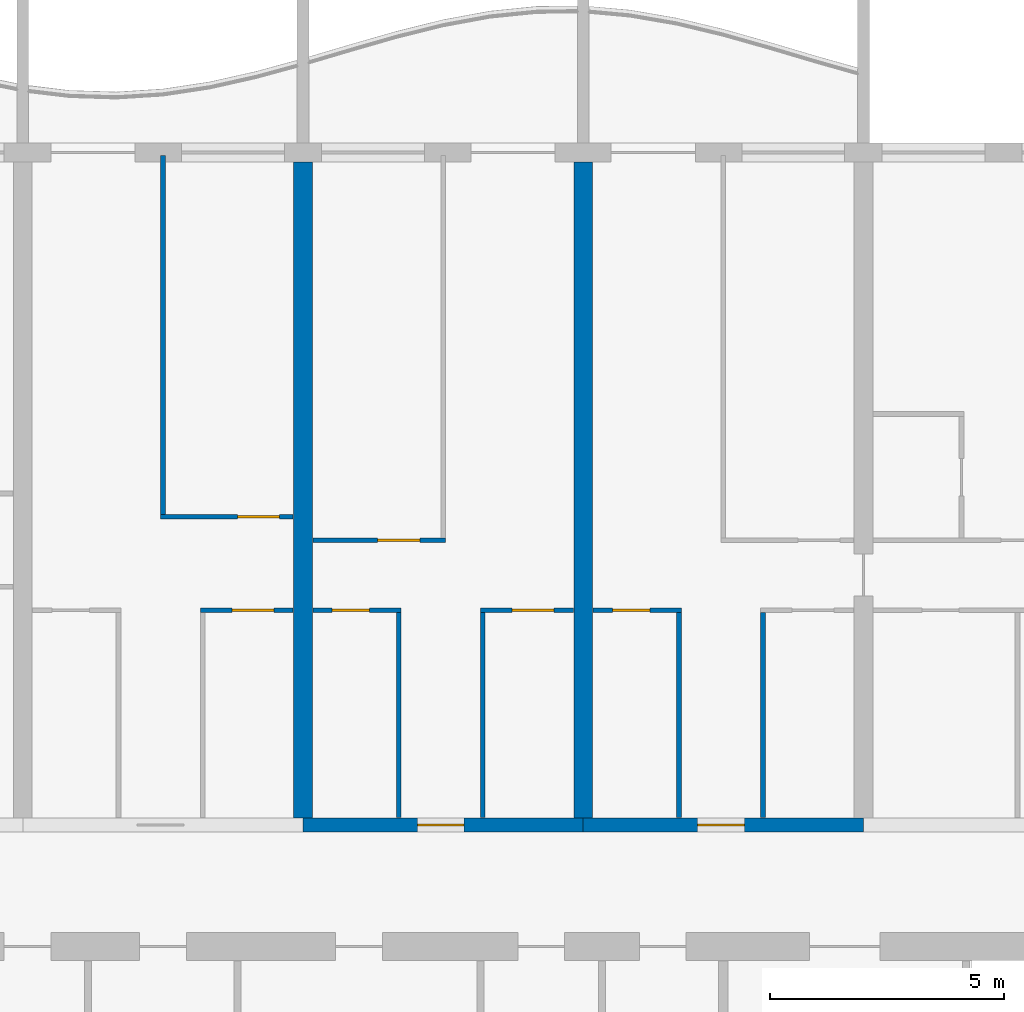
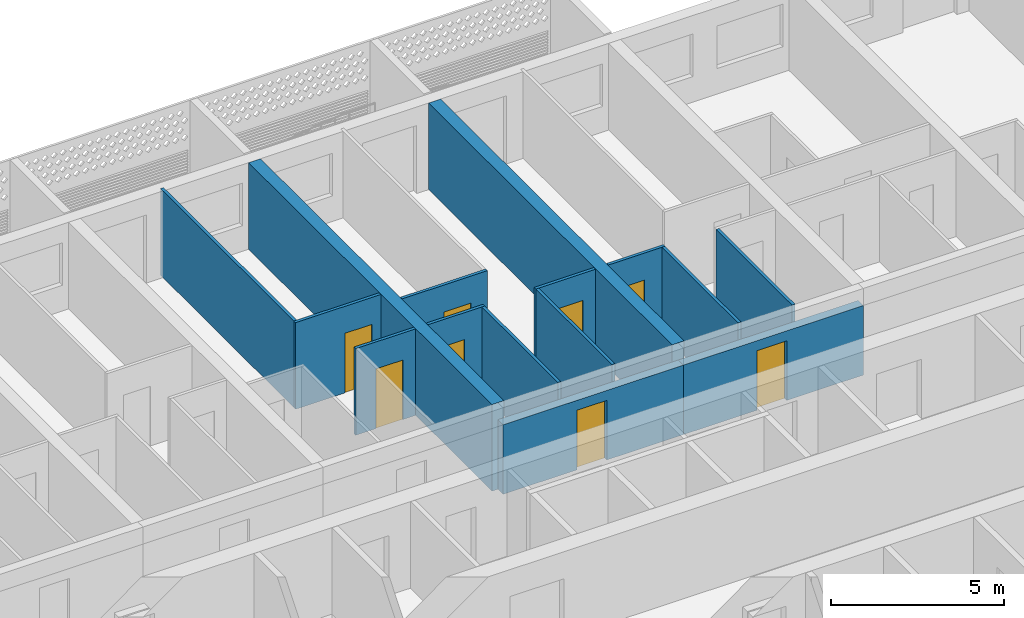
# One storey, part 14 of 44: 15 walls, 8 doors, 8 openings.
"""IFC4 building model written with IfcOpenShell, lengths in metres."""

import ifcopenshell
import ifcopenshell.guid

model = None  # the IFC model being written
_history = None  # IfcOwnerHistory: only IFC2X3 demands one
_inside = {}  # id of a spatial element -> (the spatial element, [elements in it])
_under = {}  # id of a project, library or spatial element -> (it, [spatial elements below it])
_declared = {}  # id of a project -> (the project, [libraries it declares])
_typed = {}  # id of a type object -> (the type object, [elements of that type])
_made_of = {}  # id of a material, layer set ... -> (it, [elements and type objects made of it])


def new_model(schema):
    """Start an empty IFC model of exactly this schema.

    Asked for "IFC4X3", IfcOpenShell would pick the latest addendum, in which some entities
    have other attributes; the version numbers below select the first issue.
    IFC2X3 requires an IfcOwnerHistory on every rooted entity: one is made here for all.
    """
    global model, _history
    if schema == "IFC4X3":
        model = ifcopenshell.file(schema_version=(4, 3, 0, 0))
    else:
        model = ifcopenshell.file(schema=schema)
    _inside.clear()
    _under.clear()
    _declared.clear()
    _typed.clear()
    _made_of.clear()
    _history = None
    if model.schema == "IFC2X3":
        org = make("IfcOrganization", Name="unknown")
        user = make(
            "IfcPersonAndOrganization",
            ThePerson=make("IfcPerson", FamilyName="unknown"),
            TheOrganization=org,
        )
        app = make(
            "IfcApplication",
            ApplicationDeveloper=org,
            Version="unknown",
            ApplicationFullName="unknown",
            ApplicationIdentifier="unknown",
        )
        _history = make(
            "IfcOwnerHistory",
            OwningUser=user,
            OwningApplication=app,
            ChangeAction="ADDED",
            CreationDate=0,
        )
    return model


def make(cls, **values):
    """One entity of the class cls with the attributes given. An attribute that is None is left unset."""
    return model.create_entity(
        cls, **{name: value for name, value in values.items() if value is not None}
    )


def rooted(cls, **values):
    """An entity with a GlobalId (a new one), such as an element, a storey or a relation."""
    return make(cls, GlobalId=ifcopenshell.guid.new(), OwnerHistory=_history, **values)


def si_unit(unit_type, name, prefix=None):
    """IfcSIUnit, for example si_unit("LENGTHUNIT", "METRE", prefix="MILLI")."""
    return make("IfcSIUnit", UnitType=unit_type, Prefix=prefix, Name=name)


def assignment(units):
    """IfcUnitAssignment: the units of a project."""
    return None if units is None else make("IfcUnitAssignment", Units=units)


def point(xyz):
    """IfcCartesianPoint."""
    return None if xyz is None else make("IfcCartesianPoint", Coordinates=xyz)


def direction(xyz):
    """IfcDirection."""
    return None if xyz is None else make("IfcDirection", DirectionRatios=xyz)


def frame(location, z_axis=None, x_axis=None):
    """IfcAxis2Placement3D, a coordinate frame: its origin and axes. An axis left out is left unset."""
    return make(
        "IfcAxis2Placement3D",
        Location=point(location),
        Axis=direction(z_axis),
        RefDirection=direction(x_axis),
    )


def frame_2d(location, x_axis=None):
    """IfcAxis2Placement2D, a coordinate frame in the plane: its origin and x axis."""
    return make(
        "IfcAxis2Placement2D", Location=point(location), RefDirection=direction(x_axis)
    )


def origin():
    """The frame at (0, 0, 0) with its axes left unset."""
    return frame((0.0, 0.0, 0.0))


def place(relative_to, where):
    """IfcLocalPlacement: puts the frame where relative to a parent placement (None: the world)."""
    return make(
        "IfcLocalPlacement", PlacementRelTo=relative_to, RelativePlacement=where
    )


def context(
    kind, dimensions, precision=None, world=None, true_north=None, identifier=None
):
    """IfcGeometricRepresentationContext, for example the 3D "Model" context."""
    return make(
        "IfcGeometricRepresentationContext",
        ContextIdentifier=identifier,
        ContextType=kind,
        CoordinateSpaceDimension=dimensions,
        Precision=precision,
        WorldCoordinateSystem=world,
        TrueNorth=true_north,
    )


def subcontext(parent, identifier, kind, view, scale=None):
    """IfcGeometricRepresentationSubContext, for example "Body" below "Model"."""
    return make(
        "IfcGeometricRepresentationSubContext",
        ContextIdentifier=identifier,
        ContextType=kind,
        ParentContext=parent,
        TargetScale=scale,
        TargetView=view,
    )


def project(units=None, contexts=None):
    """IfcProject with its units and contexts."""
    return rooted(
        "IfcProject",
        Name="project",
        RepresentationContexts=contexts,
        UnitsInContext=assignment(units),
    )


def spatial(cls, under=None, at=None, **own):
    """A site, building, storey or space (cls), placed at a placement, below another one or the project."""
    s = rooted(cls, ObjectPlacement=at, **own)
    if under is not None:
        _under.setdefault(under.id(), (under, []))[1].append(s)
    return s


def profile(cls, at=None, kind="AREA", **sizes):
    """A parametric profile (cls). Its sizes go by their IFC names, for example OverallWidth=200.0."""
    return make(cls, ProfileType=kind, Position=at, **sizes)


def rectangle(**sizes):
    """IfcRectangleProfileDef."""
    return profile("IfcRectangleProfileDef", **sizes)


def extrude(swept, where, along, depth):
    """IfcExtrudedAreaSolid: the profile swept, set in the frame where, extruded along a direction by depth."""
    return make(
        "IfcExtrudedAreaSolid",
        SweptArea=swept,
        Position=where,
        ExtrudedDirection=direction(along),
        Depth=depth,
    )


def shape(context_of_items, identifier, shape_type, items):
    """IfcShapeRepresentation: the items that make up one representation, for example the "Body"."""
    return make(
        "IfcShapeRepresentation",
        ContextOfItems=context_of_items,
        RepresentationIdentifier=identifier,
        RepresentationType=shape_type,
        Items=items,
    )


def material(Name=None, Category=None):
    """IfcMaterial."""
    return make("IfcMaterial", Name=Name, Category=Category)


def layer(
    of_material, thickness, ventilated=None, Name=None, Category=None, Priority=None
):
    """IfcMaterialLayer: one layer of a wall or slab, of a material (None: an air gap)."""
    return make(
        "IfcMaterialLayer",
        Material=of_material,
        LayerThickness=thickness,
        IsVentilated=ventilated,
        Name=Name,
        Category=Category,
        Priority=Priority,
    )


def layer_set(layers, Name=None):
    """IfcMaterialLayerSet."""
    return make("IfcMaterialLayerSet", MaterialLayers=layers, LayerSetName=Name)


def made_of(thing, what):
    """Note that an element or type object is made of a material, layer set ...; save() writes the relation."""
    if what is not None:
        _made_of.setdefault(what.id(), (what, []))[1].append(thing)
    return thing


def type_object(cls, material=None, **own):
    """A type object (cls), such as IfcWallType, which elements share."""
    return made_of(rooted(cls, **own), material)


def element(
    cls,
    number,
    at=None,
    inside=None,
    cuts=None,
    type_object=None,
    material=None,
    context=None,
    identifier="Body",
    shape_type=None,
    held_by="IfcProductDefinitionShape",
    body=None,
    shapes=None,
    **own,
):
    """One element of the class cls, such as IfcWall. Its Tag is "e" and its number.

    at: its placement. inside: the storey or other place that contains it. cuts: it is an
    opening in that element (IfcRelVoidsElement). A single representation is given by context,
    identifier, shape_type and body (its items); several are given by shapes. held_by: the class
    of the entity that holds the representations. save() writes the other relations.
    """
    e = rooted(cls, Tag="e%d" % number, ObjectPlacement=at, **own)
    if body is not None:
        shapes = [shape(context, identifier, shape_type, body)]
    if shapes is not None:
        e.Representation = make(held_by, Representations=shapes)
    if inside is not None:
        _inside.setdefault(inside.id(), (inside, []))[1].append(e)
    if cuts is not None:
        rooted(
            "IfcRelVoidsElement", RelatingBuildingElement=cuts, RelatedOpeningElement=e
        )
    if type_object is not None:
        _typed.setdefault(type_object.id(), (type_object, []))[1].append(e)
    return made_of(e, material)


def fill(opening, filler):
    """IfcRelFillsElement: the door or window that sits in an opening."""
    return rooted(
        "IfcRelFillsElement",
        RelatingOpeningElement=opening,
        RelatedBuildingElement=filler,
    )


def aggregate(whole, parts):
    """IfcRelAggregates: a whole, such as a stair, and the parts it consists of."""
    return rooted("IfcRelAggregates", RelatingObject=whole, RelatedObjects=parts)


def save(model, path):
    """Write the relations noted so far, then the file.

    IfcRelAggregates (storeys below a building ...), IfcRelContainedInSpatialStructure (elements
    in a storey), IfcRelDefinesByType, IfcRelAssociatesMaterial and IfcRelDeclares: one each for
    every whole, place, type object, material and project.
    """
    for whole, parts in _under.values():
        aggregate(whole, parts)
    for where, things in _inside.values():
        rooted(
            "IfcRelContainedInSpatialStructure",
            RelatedElements=things,
            RelatingStructure=where,
        )
    for kind, things in _typed.values():
        rooted("IfcRelDefinesByType", RelatedObjects=things, RelatingType=kind)
    for what, things in _made_of.values():
        rooted("IfcRelAssociatesMaterial", RelatedObjects=things, RelatingMaterial=what)
    for by, libraries in _declared.values():
        rooted("IfcRelDeclares", RelatingContext=by, RelatedDefinitions=libraries)
    model.write(path)


model = new_model("IFC4")

# Units and contexts
model_context = context("Model", 3, precision=1e-05, world=origin(), true_north=direction((0.0, 1.0)))
body_context = subcontext(model_context, "Body", "Model", "MODEL_VIEW")
ifc_project = project(units=[si_unit("LENGTHUNIT", "METRE"), si_unit("AREAUNIT", "SQUARE_METRE"), si_unit("VOLUMEUNIT", "CUBIC_METRE"), si_unit("PLANEANGLEUNIT", "RADIAN"), si_unit("MASSUNIT", "GRAM", prefix="KILO")], contexts=[model_context])

# Site, building, storey
site_placement = place(None, origin())
site = spatial("IfcSite", under=ifc_project, at=site_placement, CompositionType="ELEMENT")
building_placement = place(site_placement, origin())
building = spatial("IfcBuilding", under=site, at=building_placement, Name="Poui Terraces", CompositionType="ELEMENT")
storey_placement = place(building_placement, frame((0.0, 0.0, 26.699951171875)))
storey = spatial("IfcBuildingStorey", under=building, at=storey_placement, Name="L06", CompositionType="ELEMENT", Elevation=26.699951171875)

# Wall, opening, door
ifc_material_1 = material(Name="Concrete 80 MPa", Category="concrete")
ifc_layer_1 = layer(ifc_material_1, 0.300048828125)
ifc_layer_set_1 = layer_set([ifc_layer_1], Name="Concrete 80 MPa")
wall_type_1 = type_object("IfcWallType", Name="CORRIDOR WALL 300 80MPa", PredefinedType="SHEAR", material=ifc_layer_set_1)
wall_1_placement = place(storey_placement, frame((54.0, 30.39990234375, 0.0), z_axis=(0.0, 0.0, 1.0), x_axis=(1.0, 0.0, 0.0)))
wall_1 = element("IfcWall", 1, at=wall_1_placement, inside=storey, type_object=wall_type_1, Name="CORRIDOR WALL LINE E BAY 10", PredefinedType="SHEAR", context=body_context, shape_type="SweptSolid", body=[
    extrude(rectangle(XDim=6.0, YDim=0.300048828125, at=frame_2d((3.0, 0.0))), origin(), (0.0, 0.0, 1.0), 2.449951171875),
])
opening_1_placement = place(wall_1_placement, frame((2.449951171875, 0.0, 0.0)))
opening_1 = element("IfcOpeningElement", 2, at=opening_1_placement, cuts=wall_1, Name="Opening FD30S", PredefinedType="OPENING", context=body_context, shape_type="SweptSolid", body=[
    extrude(rectangle(XDim=1.0, YDim=2.10009765625, at=frame_2d((0.5, 1.050048828125))), frame((0.0, 0.16015625, 0.0), z_axis=(0.0, -1.0, 0.0), x_axis=(1.0, 0.0, 0.0)), (0.0, 0.0, 1.0), 0.320068359375),
])
ifc_material_2 = material(Name="Steel fire door", Category="steel")
door_type_1 = type_object("IfcDoorType", Name="FLAT ENTRANCE DOOR 1000 X 2100", OperationType="NOTDEFINED", PredefinedType="DOOR", material=ifc_material_2)
door_1_placement = place(opening_1_placement, origin())
door_1 = element("IfcDoor", 3, at=door_1_placement, inside=storey, type_object=door_type_1, Name="FLAT ENTRANCE DOOR 065", OperationType="SINGLE_SWING_LEFT", OverallHeight=2.10009765625, OverallWidth=1.0, PredefinedType="DOOR", context=body_context, shape_type="SweptSolid", body=[
    extrude(rectangle(XDim=1.0, YDim=2.10009765625, at=frame_2d((0.5, 1.050048828125))), frame((0.0, 0.02490234375, 0.0), z_axis=(0.0, -1.0, 0.0), x_axis=(1.0, 0.0, 0.0)), (0.0, 0.0, 1.0), 0.050048828125),
])
fill(opening_1, door_1)

wall_2_placement = place(storey_placement, frame((60.0, 30.39990234375, 0.0), z_axis=(0.0, 0.0, 1.0), x_axis=(1.0, 0.0, 0.0)))
wall_2 = element("IfcWall", 4, at=wall_2_placement, inside=storey, type_object=wall_type_1, Name="CORRIDOR WALL LINE E BAY 11", PredefinedType="SHEAR", context=body_context, shape_type="SweptSolid", body=[
    extrude(rectangle(XDim=6.0, YDim=0.300048828125, at=frame_2d((3.0, 0.0))), origin(), (0.0, 0.0, 1.0), 2.449951171875),
])
opening_2_placement = place(wall_2_placement, frame((2.449951171875, 0.0, 0.0)))
opening_2 = element("IfcOpeningElement", 5, at=opening_2_placement, cuts=wall_2, Name="Opening FD30S", PredefinedType="OPENING", context=body_context, shape_type="SweptSolid", body=[
    extrude(rectangle(XDim=1.0, YDim=2.10009765625, at=frame_2d((0.5, 1.050048828125))), frame((0.0, 0.16015625, 0.0), z_axis=(0.0, -1.0, 0.0), x_axis=(1.0, 0.0, 0.0)), (0.0, 0.0, 1.0), 0.320068359375),
])
door_2_placement = place(opening_2_placement, origin())
door_2 = element("IfcDoor", 6, at=door_2_placement, inside=storey, type_object=door_type_1, Name="FLAT ENTRANCE DOOR 071", OperationType="SINGLE_SWING_LEFT", OverallHeight=2.10009765625, OverallWidth=1.0, PredefinedType="DOOR", context=body_context, shape_type="SweptSolid", body=[
    extrude(rectangle(XDim=1.0, YDim=2.10009765625, at=frame_2d((0.5, 1.050048828125))), frame((0.0, 0.02490234375, 0.0), z_axis=(0.0, -1.0, 0.0), x_axis=(1.0, 0.0, 0.0)), (0.0, 0.0, 1.0), 0.050048828125),
])
fill(opening_2, door_2)

# Walls
ifc_layer_2 = layer(ifc_material_1, 0.39990234375)
ifc_layer_set_2 = layer_set([ifc_layer_2], Name="Concrete 80 MPa")
wall_type_2 = type_object("IfcWallType", Name="CROSS WALL 400 80MPa", PredefinedType="SHEAR", material=ifc_layer_set_2)
for number, where, z_axis, x_axis, name in (
    (7, (54.0, 30.550048828125, 0.0), (0.0, 0.0, 1.0), (0.0, 1.0, 0.0), "CROSS WALL LINE 10 NORTH"),
    (8, (60.0, 30.550048828125, 0.0), (0.0, 0.0, 1.0), (0.0, 1.0, 0.0), "CROSS WALL LINE 11 NORTH"),
):
    element("IfcWall", number, at=place(storey_placement, frame(where, z_axis=z_axis, x_axis=x_axis)), inside=storey, type_object=wall_type_2, Name=name, PredefinedType="SHEAR", context=body_context, shape_type="SweptSolid", body=[
        extrude(rectangle(XDim=14.050048828125, YDim=0.39990234375, at=frame_2d((7.02490234375, 0.0))), origin(), (0.0, 0.0, 1.0), 3.050048828125),
    ])

# Wall, opening, door
ifc_material_3 = material(Name="Plasterboard partition")
ifc_layer_3 = layer(ifc_material_3, 0.10009765625)
ifc_layer_set_3 = layer_set([ifc_layer_3], Name="Plasterboard partition")
wall_type_3 = type_object("IfcWallType", Name="FLAT PARTITION 100", PredefinedType="PARTITIONING", material=ifc_layer_set_3)
wall_3_placement = place(storey_placement, frame((51.800048828125, 35.0, 0.0), z_axis=(0.0, 0.0, 1.0), x_axis=(1.0, 0.0, 0.0)))
wall_3 = element("IfcWall", 9, at=wall_3_placement, inside=storey, type_object=wall_type_3, Name="FLAT PARTITION 100", PredefinedType="PARTITIONING", context=body_context, shape_type="SweptSolid", body=[
    extrude(rectangle(XDim=1.989990234375, YDim=0.10009765625, at=frame_2d((0.9951171875, 0.0))), origin(), (0.0, 0.0, 1.0), 3.050048828125),
])
opening_3_placement = place(wall_3_placement, frame((0.675048828125, 0.0, 0.0)))
opening_3 = element("IfcOpeningElement", 10, at=opening_3_placement, cuts=wall_3, Name="Opening D90", PredefinedType="OPENING", context=body_context, shape_type="SweptSolid", body=[
    extrude(rectangle(XDim=0.89990234375, YDim=2.10009765625, at=frame_2d((0.449951171875, 1.050048828125))), frame((0.0, 0.06005859375, 0.0), z_axis=(0.0, -1.0, 0.0), x_axis=(1.0, 0.0, 0.0)), (0.0, 0.0, 1.0), 0.1201171875),
])
ifc_material_4 = material(Name="Solid core timber door", Category="wood")
door_type_2 = type_object("IfcDoorType", Name="INTERNAL DOOR 900 X 2100", OperationType="NOTDEFINED", PredefinedType="DOOR", material=ifc_material_4)
door_3_placement = place(opening_3_placement, frame((0.89990234375, 0.0, 0.0), z_axis=(0.0, 0.0, 1.0), x_axis=(-1.0, 0.0, 0.0)))
door_3 = element("IfcDoor", 11, at=door_3_placement, inside=storey, type_object=door_type_2, Name="INTERNAL DOOR 061", OperationType="SINGLE_SWING_LEFT", OverallHeight=2.10009765625, OverallWidth=0.89990234375, PredefinedType="DOOR", context=body_context, shape_type="SweptSolid", body=[
    extrude(rectangle(XDim=0.89990234375, YDim=2.10009765625, at=frame_2d((0.449951171875, 1.050048828125))), frame((0.0, 0.02490234375, 0.0), z_axis=(0.0, -1.0, 0.0), x_axis=(1.0, 0.0, 0.0)), (0.0, 0.0, 1.0), 0.050048828125),
])
fill(opening_3, door_3)

wall_4_placement = place(storey_placement, frame((54.2099609375, 35.0, 0.0), z_axis=(0.0, 0.0, 1.0), x_axis=(1.0, 0.0, 0.0)))
wall_4 = element("IfcWall", 12, at=wall_4_placement, inside=storey, type_object=wall_type_3, Name="FLAT PARTITION 100", PredefinedType="PARTITIONING", context=body_context, shape_type="SweptSolid", body=[
    extrude(rectangle(XDim=1.89013671875, YDim=0.10009765625, at=frame_2d((0.945068359375, 0.0))), origin(), (0.0, 0.0, 1.0), 3.050048828125),
])
opening_4_placement = place(wall_4_placement, frame((0.4150390625, 0.0, 0.0)))
opening_4 = element("IfcOpeningElement", 13, at=opening_4_placement, cuts=wall_4, Name="Opening D80", PredefinedType="OPENING", context=body_context, shape_type="SweptSolid", body=[
    extrude(rectangle(XDim=0.800048828125, YDim=2.10009765625, at=frame_2d((0.39990234375, 1.050048828125))), frame((0.0, 0.06005859375, 0.0), z_axis=(0.0, -1.0, 0.0), x_axis=(1.0, 0.0, 0.0)), (0.0, 0.0, 1.0), 0.1201171875),
])
door_type_3 = type_object("IfcDoorType", Name="BATHROOM, LAUNDRY AND STORE DOOR 800 X 2100", OperationType="NOTDEFINED", PredefinedType="DOOR", material=ifc_material_4)
door_4_placement = place(opening_4_placement, frame((0.800048828125, 0.0, 0.0), z_axis=(0.0, 0.0, 1.0), x_axis=(-1.0, 0.0, 0.0)))
door_4 = element("IfcDoor", 14, at=door_4_placement, inside=storey, type_object=door_type_3, Name="BATHROOM, LAUNDRY AND STORE DOOR 063", OperationType="SINGLE_SWING_LEFT", OverallHeight=2.10009765625, OverallWidth=0.800048828125, PredefinedType="DOOR", context=body_context, shape_type="SweptSolid", body=[
    extrude(rectangle(XDim=0.800048828125, YDim=2.10009765625, at=frame_2d((0.39990234375, 1.050048828125))), frame((0.0, 0.02490234375, 0.0), z_axis=(0.0, -1.0, 0.0), x_axis=(1.0, 0.0, 0.0)), (0.0, 0.0, 1.0), 0.050048828125),
])
fill(opening_4, door_4)

wall_5_placement = place(storey_placement, frame((57.800048828125, 35.0, 0.0), z_axis=(0.0, 0.0, 1.0), x_axis=(1.0, 0.0, 0.0)))
wall_5 = element("IfcWall", 15, at=wall_5_placement, inside=storey, type_object=wall_type_3, Name="FLAT PARTITION 100", PredefinedType="PARTITIONING", context=body_context, shape_type="SweptSolid", body=[
    extrude(rectangle(XDim=1.989990234375, YDim=0.10009765625, at=frame_2d((0.9951171875, 0.0))), origin(), (0.0, 0.0, 1.0), 3.050048828125),
])
opening_5_placement = place(wall_5_placement, frame((0.675048828125, 0.0, 0.0)))
opening_5 = element("IfcOpeningElement", 16, at=opening_5_placement, cuts=wall_5, Name="Opening D90", PredefinedType="OPENING", context=body_context, shape_type="SweptSolid", body=[
    extrude(rectangle(XDim=0.89990234375, YDim=2.10009765625, at=frame_2d((0.449951171875, 1.050048828125))), frame((0.0, 0.06005859375, 0.0), z_axis=(0.0, -1.0, 0.0), x_axis=(1.0, 0.0, 0.0)), (0.0, 0.0, 1.0), 0.1201171875),
])
door_5_placement = place(opening_5_placement, frame((0.89990234375, 0.0, 0.0), z_axis=(0.0, 0.0, 1.0), x_axis=(-1.0, 0.0, 0.0)))
door_5 = element("IfcDoor", 17, at=door_5_placement, inside=storey, type_object=door_type_2, Name="INTERNAL DOOR 066", OperationType="SINGLE_SWING_RIGHT", OverallHeight=2.10009765625, OverallWidth=0.89990234375, PredefinedType="DOOR", context=body_context, shape_type="SweptSolid", body=[
    extrude(rectangle(XDim=0.89990234375, YDim=2.10009765625, at=frame_2d((0.449951171875, 1.050048828125))), frame((0.0, 0.02490234375, 0.0), z_axis=(0.0, -1.0, 0.0), x_axis=(1.0, 0.0, 0.0)), (0.0, 0.0, 1.0), 0.050048828125),
])
fill(opening_5, door_5)

wall_6_placement = place(storey_placement, frame((60.2099609375, 35.0, 0.0), z_axis=(0.0, 0.0, 1.0), x_axis=(1.0, 0.0, 0.0)))
wall_6 = element("IfcWall", 18, at=wall_6_placement, inside=storey, type_object=wall_type_3, Name="FLAT PARTITION 100", PredefinedType="PARTITIONING", context=body_context, shape_type="SweptSolid", body=[
    extrude(rectangle(XDim=1.89013671875, YDim=0.10009765625, at=frame_2d((0.945068359375, 0.0))), origin(), (0.0, 0.0, 1.0), 3.050048828125),
])
opening_6_placement = place(wall_6_placement, frame((0.4150390625, 0.0, 0.0)))
opening_6 = element("IfcOpeningElement", 19, at=opening_6_placement, cuts=wall_6, Name="Opening D80", PredefinedType="OPENING", context=body_context, shape_type="SweptSolid", body=[
    extrude(rectangle(XDim=0.800048828125, YDim=2.10009765625, at=frame_2d((0.39990234375, 1.050048828125))), frame((0.0, 0.06005859375, 0.0), z_axis=(0.0, -1.0, 0.0), x_axis=(1.0, 0.0, 0.0)), (0.0, 0.0, 1.0), 0.1201171875),
])
door_6_placement = place(opening_6_placement, frame((0.800048828125, 0.0, 0.0), z_axis=(0.0, 0.0, 1.0), x_axis=(-1.0, 0.0, 0.0)))
door_6 = element("IfcDoor", 20, at=door_6_placement, inside=storey, type_object=door_type_3, Name="BATHROOM, LAUNDRY AND STORE DOOR 070", OperationType="SINGLE_SWING_RIGHT", OverallHeight=2.10009765625, OverallWidth=0.800048828125, PredefinedType="DOOR", context=body_context, shape_type="SweptSolid", body=[
    extrude(rectangle(XDim=0.800048828125, YDim=2.10009765625, at=frame_2d((0.39990234375, 1.050048828125))), frame((0.0, 0.02490234375, 0.0), z_axis=(0.0, -1.0, 0.0), x_axis=(1.0, 0.0, 0.0)), (0.0, 0.0, 1.0), 0.050048828125),
])
fill(opening_6, door_6)

wall_7_placement = place(storey_placement, frame((54.2099609375, 36.5, 0.0), z_axis=(0.0, 0.0, 1.0), x_axis=(1.0, 0.0, 0.0)))
wall_7 = element("IfcWall", 21, at=wall_7_placement, inside=storey, type_object=wall_type_3, Name="FLAT PARTITION 100", PredefinedType="PARTITIONING", context=body_context, shape_type="SweptSolid", body=[
    extrude(rectangle(XDim=2.840087890625, YDim=0.10009765625, at=frame_2d((1.419921875, 0.0))), origin(), (0.0, 0.0, 1.0), 3.050048828125),
])
opening_7_placement = place(wall_7_placement, frame((1.389892578125, 0.0, 0.0)))
opening_7 = element("IfcOpeningElement", 22, at=opening_7_placement, cuts=wall_7, Name="Opening D90", PredefinedType="OPENING", context=body_context, shape_type="SweptSolid", body=[
    extrude(rectangle(XDim=0.89990234375, YDim=2.10009765625, at=frame_2d((0.449951171875, 1.050048828125))), frame((0.0, 0.06005859375, 0.0), z_axis=(0.0, -1.0, 0.0), x_axis=(1.0, 0.0, 0.0)), (0.0, 0.0, 1.0), 0.1201171875),
])
door_7_placement = place(opening_7_placement, frame((0.89990234375, 0.0, 0.0), z_axis=(0.0, 0.0, 1.0), x_axis=(-1.0, 0.0, 0.0)))
door_7 = element("IfcDoor", 23, at=door_7_placement, inside=storey, type_object=door_type_2, Name="INTERNAL DOOR 064", OperationType="SINGLE_SWING_RIGHT", OverallHeight=2.10009765625, OverallWidth=0.89990234375, PredefinedType="DOOR", context=body_context, shape_type="SweptSolid", body=[
    extrude(rectangle(XDim=0.89990234375, YDim=2.10009765625, at=frame_2d((0.449951171875, 1.050048828125))), frame((0.0, 0.02490234375, 0.0), z_axis=(0.0, -1.0, 0.0), x_axis=(1.0, 0.0, 0.0)), (0.0, 0.0, 1.0), 0.050048828125),
])
fill(opening_7, door_7)

wall_8_placement = place(storey_placement, frame((50.949951171875, 37.0, 0.0), z_axis=(0.0, 0.0, 1.0), x_axis=(1.0, 0.0, 0.0)))
wall_8 = element("IfcWall", 24, at=wall_8_placement, inside=storey, type_object=wall_type_3, Name="FLAT PARTITION 100", PredefinedType="PARTITIONING", context=body_context, shape_type="SweptSolid", body=[
    extrude(rectangle(XDim=2.840087890625, YDim=0.10009765625, at=frame_2d((1.419921875, 0.0))), origin(), (0.0, 0.0, 1.0), 3.050048828125),
])
opening_8_placement = place(wall_8_placement, frame((1.64990234375, 0.0, 0.0)))
opening_8 = element("IfcOpeningElement", 25, at=opening_8_placement, cuts=wall_8, Name="Opening D90", PredefinedType="OPENING", context=body_context, shape_type="SweptSolid", body=[
    extrude(rectangle(XDim=0.89990234375, YDim=2.10009765625, at=frame_2d((0.449951171875, 1.050048828125))), frame((0.0, 0.06005859375, 0.0), z_axis=(0.0, -1.0, 0.0), x_axis=(1.0, 0.0, 0.0)), (0.0, 0.0, 1.0), 0.1201171875),
])
door_8_placement = place(opening_8_placement, frame((0.89990234375, 0.0, 0.0), z_axis=(0.0, 0.0, 1.0), x_axis=(-1.0, 0.0, 0.0)))
door_8 = element("IfcDoor", 26, at=door_8_placement, inside=storey, type_object=door_type_2, Name="INTERNAL DOOR 062", OperationType="SINGLE_SWING_RIGHT", OverallHeight=2.10009765625, OverallWidth=0.89990234375, PredefinedType="DOOR", context=body_context, shape_type="SweptSolid", body=[
    extrude(rectangle(XDim=0.89990234375, YDim=2.10009765625, at=frame_2d((0.449951171875, 1.050048828125))), frame((0.0, 0.02490234375, 0.0), z_axis=(0.0, -1.0, 0.0), x_axis=(1.0, 0.0, 0.0)), (0.0, 0.0, 1.0), 0.050048828125),
])
fill(opening_8, door_8)

# Walls
wall_9_placement = place(storey_placement, frame((51.0, 37.050048828125, 0.0), z_axis=(0.0, 0.0, 1.0), x_axis=(0.0, 1.0, 0.0)))
element("IfcWall", 27, at=wall_9_placement, inside=storey, type_object=wall_type_3, Name="FLAT PARTITION 100", PredefinedType="PARTITIONING", context=body_context, shape_type="SweptSolid", body=[
    extrude(rectangle(XDim=7.68994140625, YDim=0.10009765625, at=frame_2d((3.844970703125, 0.0))), origin(), (0.0, 0.0, 1.0), 3.050048828125),
])
for number, where, z_axis, x_axis, name in (
    (28, (56.050048828125, 30.56005859375, 0.0), (0.0, 0.0, 1.0), (0.0, 1.0, 0.0), "FLAT PARTITION 100"),
    (29, (57.85009765625, 30.56005859375, 0.0), (0.0, 0.0, 1.0), (0.0, 1.0, 0.0), "FLAT PARTITION 100"),
    (30, (62.050048828125, 30.56005859375, 0.0), (0.0, 0.0, 1.0), (0.0, 1.0, 0.0), "FLAT PARTITION 100"),
    (31, (63.85009765625, 30.56005859375, 0.0), (0.0, 0.0, 1.0), (0.0, 1.0, 0.0), "FLAT PARTITION 100"),
):
    element("IfcWall", number, at=place(storey_placement, frame(where, z_axis=z_axis, x_axis=x_axis)), inside=storey, type_object=wall_type_3, Name=name, PredefinedType="PARTITIONING", context=body_context, shape_type="SweptSolid", body=[
        extrude(rectangle(XDim=4.389892578125, YDim=0.10009765625, at=frame_2d((2.19482421875, 0.0))), origin(), (0.0, 0.0, 1.0), 3.050048828125),
    ])

save(model, "model.ifc")
